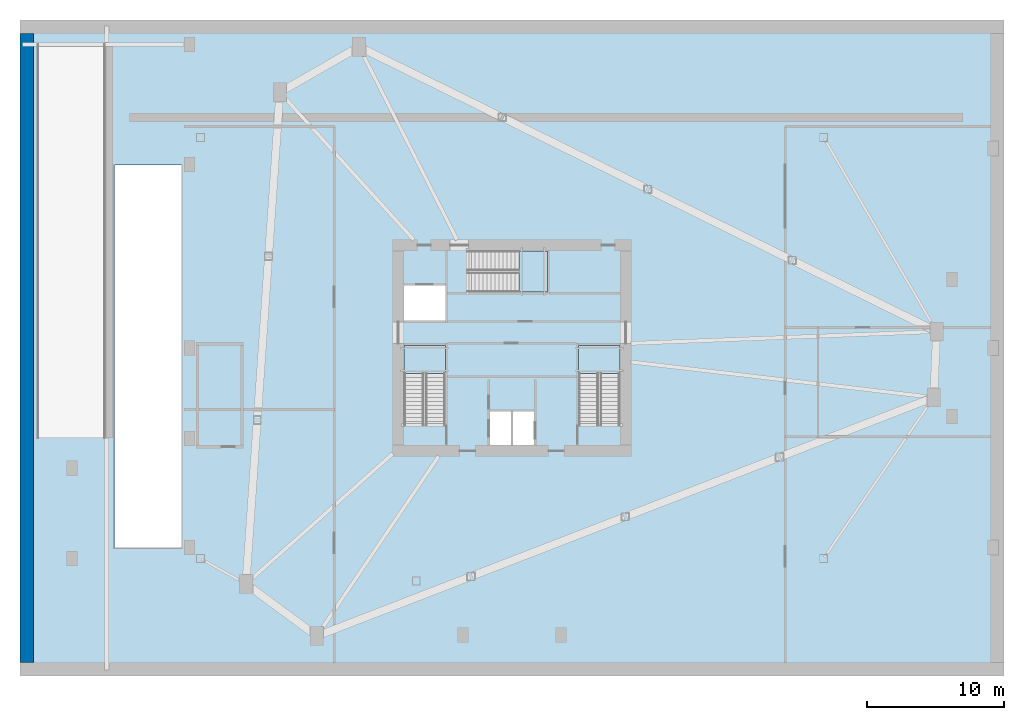
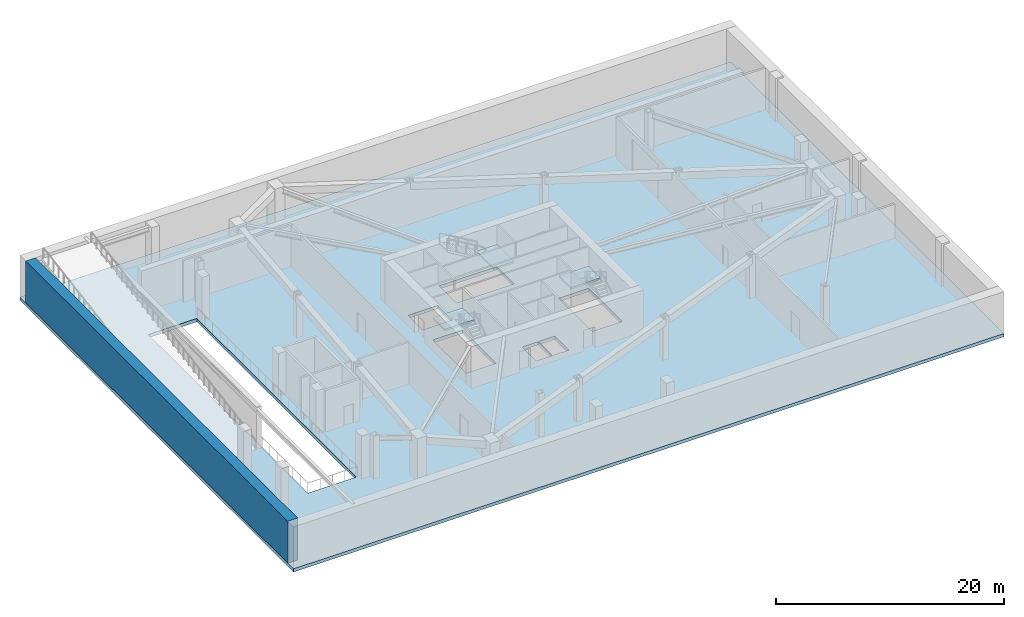
# One storey, part 2 of 9: 4 slabs, 1 wall, 3 elements without a shape of their own.
"""IFC4 building model written with IfcOpenShell, lengths in metres."""

from ifc_helpers import new_model, si_unit, direction, frame, frame_2d, origin, place, context, subcontext, project, spatial, polyline, rectangle, outline, extrude, material, layer, layer_set, type_object, element, aggregate, save


model = new_model("IFC4")

# Units and contexts
model_context = context("Model", 3, precision=1e-05, world=origin(), true_north=direction((0.0, 1.0)))
body_context = subcontext(model_context, "Body", "Model", "MODEL_VIEW")
ifc_project = project(units=[si_unit("LENGTHUNIT", "METRE"), si_unit("AREAUNIT", "SQUARE_METRE"), si_unit("VOLUMEUNIT", "CUBIC_METRE"), si_unit("PLANEANGLEUNIT", "RADIAN"), si_unit("MASSUNIT", "GRAM", prefix="KILO")], contexts=[model_context])

# Site, building, storey
site_placement = place(None, origin())
site = spatial("IfcSite", under=ifc_project, at=site_placement, CompositionType="ELEMENT")
building_placement = place(site_placement, origin())
building = spatial("IfcBuilding", under=site, at=building_placement, Name="Olszyna Solenne Hotel", CompositionType="ELEMENT")
storey_placement = place(building_placement, frame((0.0, 0.0, -4.800048828125)))
storey = spatial("IfcBuildingStorey", under=building, at=storey_placement, Name="B01", CompositionType="ELEMENT", Elevation=-4.800048828125)

# Slab
ifc_material = material(Name="Concrete C40/50", Category="concrete")
ifc_layer_1 = layer(ifc_material, 0.35009765625, Name="Concrete C40/50")
ifc_layer_set_1 = layer_set([ifc_layer_1], Name="Concrete C40/50")
slab_type_1 = type_object("IfcSlabType", Name="SL-B1350", PredefinedType="FLOOR", material=ifc_layer_set_1)
slab_1_placement = place(storey_placement, frame((0.0, 0.0, -0.349853515625)))
element("IfcSlab", 1, at=slab_1_placement, inside=storey, type_object=slab_type_1, Name="Floor slab SL-B1350 SL-B01-01", PredefinedType="FLOOR", context=body_context, shape_type="SweptSolid", body=[
    extrude(outline(polyline([(2.0, 2.60009765625), (74.0, 2.60009765625), (74.0, 50.60009765625), (2.0, 50.60009765625), (2.0, 2.60009765625)]), holes=[polyline([(30.10009765625, 20.949951171875), (33.1201171875, 20.949951171875), (33.1201171875, 26.800048828125), (30.10009765625, 26.800048828125), (30.10009765625, 20.949951171875)]), polyline([(42.8798828125, 20.949951171875), (45.89990234375, 20.949951171875), (45.89990234375, 26.800048828125), (42.8798828125, 26.800048828125), (42.8798828125, 20.949951171875)]), polyline([(34.72998046875, 30.679931640625), (40.580078125, 30.679931640625), (40.580078125, 33.699951171875), (34.72998046875, 33.699951171875), (34.72998046875, 30.679931640625)]), polyline([(36.340087890625, 19.5), (37.9599609375, 19.5), (37.9599609375, 21.9599609375), (36.340087890625, 21.9599609375), (36.340087890625, 19.5)]), polyline([(38.0400390625, 19.5), (39.659912109375, 19.5), (39.659912109375, 21.9599609375), (38.0400390625, 21.9599609375), (38.0400390625, 19.5)]), polyline([(30.10009765625, 28.60009765625), (33.1201171875, 28.60009765625), (33.1201171875, 31.159912109375), (30.10009765625, 31.159912109375), (30.10009765625, 28.60009765625)]), polyline([(8.89990234375, 12.0), (13.800048828125, 12.0), (13.800048828125, 40.0), (8.89990234375, 40.0), (8.89990234375, 12.0)])]), origin(), (0.0, 0.0, 1.0), 0.349853515625),
])

# Stair, slab
stair_type = type_object("IfcStairType", Name="STR-C1", PredefinedType="TWO_QUARTER_WINDING_STAIR", material=ifc_material)
stair_1_placement = place(storey_placement, origin())
stair_1 = element("IfcStair", 2, at=stair_1_placement, inside=storey, type_object=stair_type, Name="B01 ST1", PredefinedType="TWO_QUARTER_WINDING_STAIR")
ifc_layer_2 = layer(ifc_material, 0.18994140625, Name="Concrete C40/50")
ifc_layer_set_2 = layer_set([ifc_layer_2], Name="Concrete C40/50")
slab_type_2 = type_object("IfcSlabType", Name="SL-LN190", PredefinedType="LANDING", material=ifc_layer_set_2)
slab_2_placement = place(storey_placement, frame((0.0, 0.0, 2.199951171875)))
slab_2 = element("IfcSlab", 3, at=slab_2_placement, type_object=slab_type_2, Name="ST1 landing 1", PredefinedType="LANDING", context=body_context, shape_type="SweptSolid", body=[
    extrude(outline(polyline([(33.1201171875, 24.719970703125), (33.1201171875, 26.800048828125), (30.10009765625, 26.800048828125), (30.10009765625, 24.719970703125), (33.1201171875, 24.719970703125)])), origin(), (0.0, 0.0, 1.0), 0.2001953125),
])
aggregate(stair_1, [slab_2])

stair_2_placement = place(storey_placement, origin())
stair_2 = element("IfcStair", 4, at=stair_2_placement, inside=storey, type_object=stair_type, Name="B01 ST2", PredefinedType="TWO_QUARTER_WINDING_STAIR")
slab_3_placement = place(storey_placement, frame((0.0, 0.0, 2.199951171875)))
slab_3 = element("IfcSlab", 5, at=slab_3_placement, type_object=slab_type_2, Name="ST2 landing 1", PredefinedType="LANDING", context=body_context, shape_type="SweptSolid", body=[
    extrude(outline(polyline([(45.89990234375, 24.719970703125), (45.89990234375, 26.800048828125), (42.8798828125, 26.800048828125), (42.8798828125, 24.719970703125), (45.89990234375, 24.719970703125)])), origin(), (0.0, 0.0, 1.0), 0.2001953125),
])
aggregate(stair_2, [slab_3])

stair_3_placement = place(storey_placement, origin())
stair_3 = element("IfcStair", 6, at=stair_3_placement, inside=storey, type_object=stair_type, Name="B01 ST3", PredefinedType="TWO_QUARTER_WINDING_STAIR")
slab_4_placement = place(storey_placement, frame((0.0, 0.0, 2.199951171875)))
slab_4 = element("IfcSlab", 7, at=slab_4_placement, type_object=slab_type_2, Name="ST3 landing 1", PredefinedType="LANDING", context=body_context, shape_type="SweptSolid", body=[
    extrude(outline(polyline([(38.5, 30.679931640625), (40.580078125, 30.679931640625), (40.580078125, 33.699951171875), (38.5, 33.699951171875), (38.5, 30.679931640625)])), origin(), (0.0, 0.0, 1.0), 0.2001953125),
])
aggregate(stair_3, [slab_4])

# Wall
ifc_layer_3 = layer(ifc_material, 1.0, Name="Concrete C40/50")
ifc_layer_set_3 = layer_set([ifc_layer_3], Name="Concrete C40/50")
wall_type = type_object("IfcWallType", Name="WL-DW1000", PredefinedType="SOLIDWALL", material=ifc_layer_set_3)
wall_placement = place(storey_placement, frame((2.5, 3.60009765625, 0.0), z_axis=(0.0, 0.0, 1.0), x_axis=(0.0, 1.0, 0.0)))
element("IfcWall", 8, at=wall_placement, inside=storey, type_object=wall_type, Name="Perimeter diaphragm wall DW-B01-W", PredefinedType="SOLIDWALL", context=body_context, shape_type="SweptSolid", body=[
    extrude(rectangle(XDim=46.0, YDim=1.0, at=frame_2d((23.0, 0.0))), origin(), (0.0, 0.0, 1.0), 4.47998046875),
])

save(model, "model.ifc")
